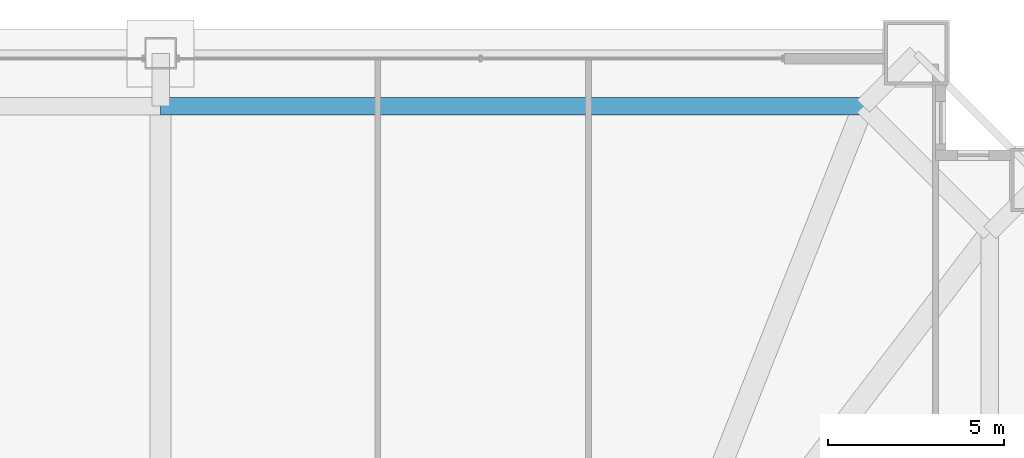
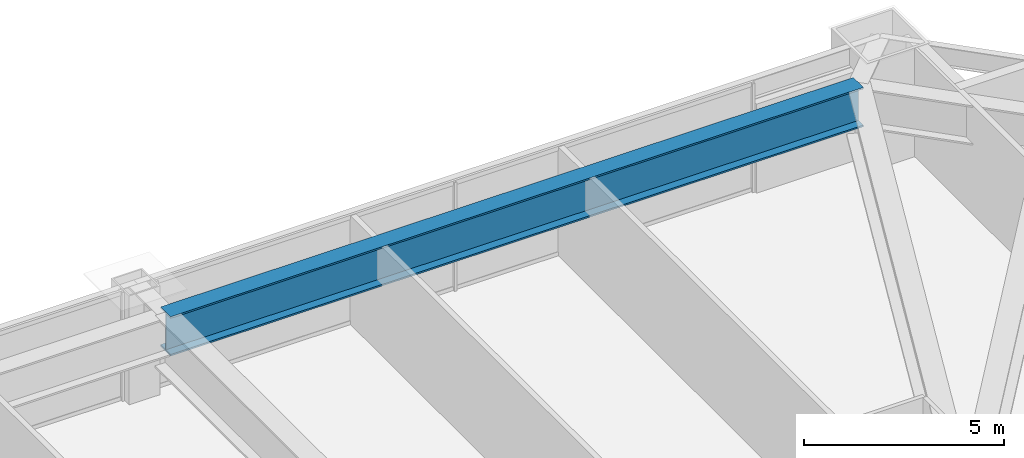
# One storey, part 35 of 44: 1 beam.
"""IFC4 building model written with IfcOpenShell, lengths in metres."""

from ifc_helpers import new_model, si_unit, direction, frame, origin, origin_2d, place, context, subcontext, project, spatial, i_section, extrude, source, transform, mapped, material, material_profile, profile_set, type_object, element, save


model = new_model("IFC4")

# Units and contexts
model_context = context("Model", 3, precision=1e-05, world=origin(), true_north=direction((0.0, 1.0)))
body_context = subcontext(model_context, "Body", "Model", "MODEL_VIEW")
ifc_project = project(units=[si_unit("LENGTHUNIT", "METRE"), si_unit("AREAUNIT", "SQUARE_METRE"), si_unit("VOLUMEUNIT", "CUBIC_METRE"), si_unit("PLANEANGLEUNIT", "RADIAN"), si_unit("MASSUNIT", "GRAM", prefix="KILO"), si_unit("THERMODYNAMICTEMPERATUREUNIT", "KELVIN"), si_unit("POWERUNIT", "WATT")], contexts=[model_context])

# Site, building, storey
site_placement = place(None, origin())
site = spatial("IfcSite", under=ifc_project, at=site_placement, CompositionType="ELEMENT")
building_placement = place(site_placement, origin())
building = spatial("IfcBuilding", under=site, at=building_placement, Name="Yuzanri Waterfront Tower", CompositionType="ELEMENT")
storey_placement = place(building_placement, frame((0.0, 0.0, 82.0)))
storey = spatial("IfcBuildingStorey", under=building, at=storey_placement, Name="L21", CompositionType="ELEMENT", Elevation=82.0)

# Beam
ifc_material = material(Name="Steel Q420GJC", Category="steel")
ifc_material_profile = material_profile(ifc_material, i_section(OverallWidth=0.5, OverallDepth=1.199951171875, WebThickness=0.028076171875, FlangeThickness=0.050048828125, at=origin_2d()), Name="PG 1200x500x28x50")
ifc_profile_set = profile_set([ifc_material_profile], Name="Steel Q420GJC")
beam_type = type_object("IfcBeamType", Name="Setback Transfer Girder Q420GJC PG 1200x500", PredefinedType="USERDEFINED", material=ifc_profile_set)
shared_shape = source(origin(), body_context, "Body", "SweptSolid", [
    extrude(i_section(OverallWidth=0.5, OverallDepth=1.199951171875, WebThickness=0.028076171875, FlangeThickness=0.050048828125, at=origin_2d()), origin(), (0.0, 0.0, 1.0), 20.0),
])
beam_placement = place(storey_placement, frame((57.0, 49.39990234375, 2.719970703125), z_axis=(-1.0, 0.0, 0.0), x_axis=(0.0, -1.0, 0.0)))
element("IfcBeam", 1, at=beam_placement, inside=storey, type_object=beam_type, Name="L21 Setback Upper Ring N3-N2", ObjectType="GIRDER", PredefinedType="USERDEFINED", context=body_context, shape_type="MappedRepresentation", body=[
    mapped(shared_shape, transform((0.0, 0.0, 0.0), scale=1.0)),
])

save(model, "model.ifc")
